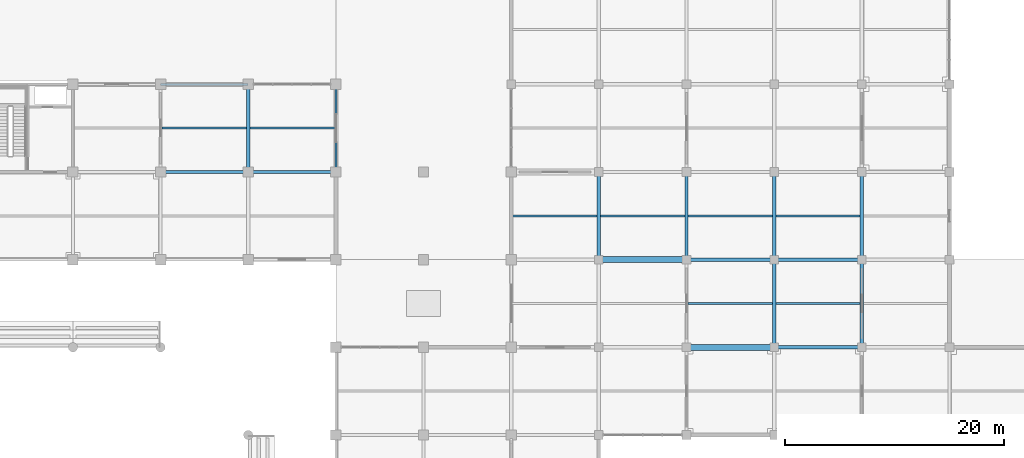
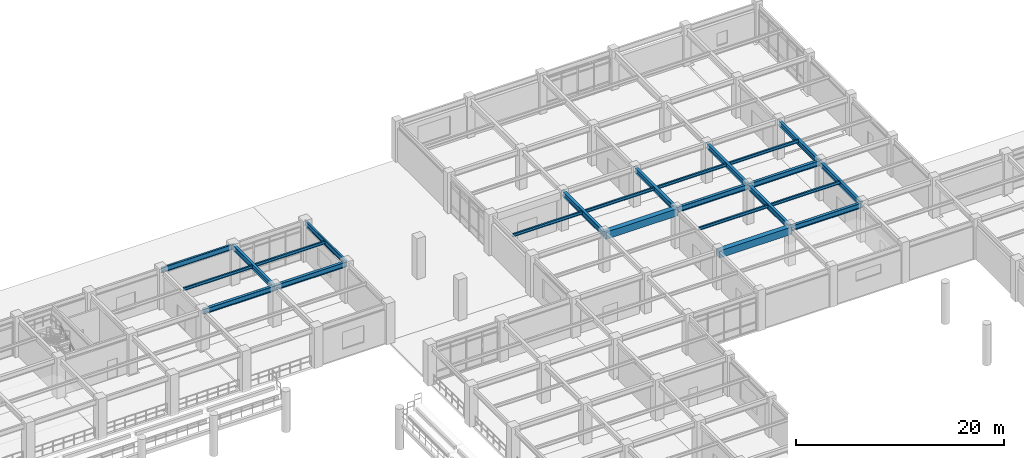
# One storey, part 47 of 109: 24 beams.
"""IFC4 building model written with IfcOpenShell, lengths in metres."""

from ifc_helpers import new_model, si_unit, direction, frame, origin, origin_2d, place, context, subcontext, project, spatial, rectangle, i_section, extrude, material, material_profile, profile_set, type_object, element, save


model = new_model("IFC4")

# Units and contexts
model_context = context("Model", 3, precision=1e-05, world=origin(), true_north=direction((0.0, 1.0)))
body_context = subcontext(model_context, "Body", "Model", "MODEL_VIEW")
ifc_project = project(units=[si_unit("LENGTHUNIT", "METRE"), si_unit("AREAUNIT", "SQUARE_METRE"), si_unit("VOLUMEUNIT", "CUBIC_METRE"), si_unit("PLANEANGLEUNIT", "RADIAN"), si_unit("MASSUNIT", "GRAM", prefix="KILO")], contexts=[model_context])

# Site, building, storey
site_placement = place(None, origin())
site = spatial("IfcSite", under=ifc_project, at=site_placement, CompositionType="ELEMENT")
building_placement = place(site_placement, origin())
building = spatial("IfcBuilding", under=site, at=building_placement, Name="Haebicheon Civic Stadium", CompositionType="ELEMENT")
storey_placement = place(building_placement, frame((0.0, 0.0, 9.60009765625)))
storey = spatial("IfcBuildingStorey", under=building, at=storey_placement, Name="L03", CompositionType="ELEMENT", Elevation=9.60009765625)

# Beams
ifc_material_1 = material(Name="Concrete C40/50", Category="concrete")
ifc_material_profile_1 = material_profile(ifc_material_1, rectangle(XDim=0.550048828125, YDim=0.85009765625, at=origin_2d()), Name="RC-BM-550x850")
ifc_profile_set_1 = profile_set([ifc_material_profile_1], Name="Concrete C40/50")
beam_type_1 = type_object("IfcBeamType", Name="BM-RC-550x850", PredefinedType="BEAM", material=ifc_profile_set_1)
for number, where, z_axis, x_axis, name in (
    (1, (168.0, 152.0, 4.114990234375), (1.0, 0.0, 0.0), (0.0, 1.0, 0.0), "L03 beam V/22-23"),
    (2, (176.0, 144.0, 3.974853515625), (1.0, 0.0, 0.0), (0.0, 1.0, 0.0), "L03 beam U/23-24"),
):
    element("IfcBeam", number, at=place(storey_placement, frame(where, z_axis=z_axis, x_axis=x_axis)), inside=storey, type_object=beam_type_1, material=ifc_profile_set_1, Name=name, PredefinedType="BEAM", context=body_context, shape_type="SweptSolid", body=[
        extrude(rectangle(XDim=0.550048828125, YDim=0.85009765625, at=origin_2d()), origin(), (0.0, 0.0, 1.0), 8.0),
    ])
ifc_material_2 = material(Name="Steel SM355 (S355)", Category="steel")
ifc_material_profile_2 = material_profile(ifc_material_2, i_section(OverallWidth=0.300048828125, OverallDepth=0.60009765625, WebThickness=0.011962890625, FlangeThickness=0.02001953125, at=origin_2d()), Name="H-600x300x12x20")
ifc_profile_set_2 = profile_set([ifc_material_profile_2], Name="Steel SM355 (S355)")
beam_type_2 = type_object("IfcBeamType", Name="BM-ST-H600A", PredefinedType="BEAM", material=ifc_profile_set_2)
for number, where, z_axis, x_axis, name in (
    (3, (136.0, 160.0, 4.239990234375), (0.0, 1.0, 0.0), (-1.0, 0.0, 0.0), "L03 girder 18/W-X"),
    (4, (168.0, 152.0, 4.239990234375), (0.0, 1.0, 0.0), (-1.0, 0.0, 0.0), "L03 girder 22/V-W"),
    (5, (176.0, 152.0, 4.239990234375), (0.0, 1.0, 0.0), (-1.0, 0.0, 0.0), "L03 girder 23/V-W"),
    (6, (184.0, 144.0, 4.239990234375), (0.0, 1.0, 0.0), (-1.0, 0.0, 0.0), "L03 girder 24/U-V"),
    (7, (184.0, 152.0, 4.239990234375), (0.0, 1.0, 0.0), (-1.0, 0.0, 0.0), "L03 girder 24/V-W"),
    (8, (192.0, 144.0, 4.099853515625), (0.0, 1.0, 0.0), (-1.0, 0.0, 0.0), "L03 girder 25/U-V"),
    (9, (192.0, 152.0, 4.099853515625), (0.0, 1.0, 0.0), (-1.0, 0.0, 0.0), "L03 girder 25/V-W"),
    (10, (128.0, 160.0, 4.239990234375), (1.0, 0.0, 0.0), (0.0, 1.0, 0.0), "L03 beam W/17-18"),
    (11, (136.0, 160.0, 4.27978515625), (1.0, 0.0, 0.0), (0.0, 1.0, 0.0), "L03 beam W/18-19"),
    (12, (176.0, 152.0, 4.239990234375), (1.0, 0.0, 0.0), (0.0, 1.0, 0.0), "L03 beam V/23-24"),
    (13, (184.0, 144.0, 4.099853515625), (1.0, 0.0, 0.0), (0.0, 1.0, 0.0), "L03 beam U/24-25"),
    (14, (184.0, 152.0, 4.239990234375), (1.0, 0.0, 0.0), (0.0, 1.0, 0.0), "L03 beam V/24-25"),
):
    element("IfcBeam", number, at=place(storey_placement, frame(where, z_axis=z_axis, x_axis=x_axis)), inside=storey, type_object=beam_type_2, material=ifc_profile_set_2, Name=name, PredefinedType="BEAM", context=body_context, shape_type="SweptSolid", body=[
        extrude(i_section(OverallWidth=0.300048828125, OverallDepth=0.60009765625, WebThickness=0.011962890625, FlangeThickness=0.02001953125, at=origin_2d()), origin(), (0.0, 0.0, 1.0), 8.0),
    ])
ifc_material_3 = material(Name="Steel SM355 (S355)", Category="steel")
ifc_material_profile_3 = material_profile(ifc_material_3, i_section(OverallWidth=0.175048828125, OverallDepth=0.35009765625, WebThickness=0.007080078125, FlangeThickness=0.010986328125, at=origin_2d()), Name="H-350x175x7x11")
ifc_profile_set_3 = profile_set([ifc_material_profile_3], Name="Steel SM355 (S355)")
beam_type_3 = type_object("IfcBeamType", Name="JST-ST-H350", PredefinedType="JOIST", material=ifc_profile_set_3)
beam_placement = place(storey_placement, frame((128.14990234375, 164.0, 4.364990234375), z_axis=(1.0, 0.0, 0.0), x_axis=(0.0, 1.0, 0.0)))
element("IfcBeam", 15, at=beam_placement, inside=storey, type_object=beam_type_3, material=ifc_profile_set_3, Name="L03 secondary joist 16-20", PredefinedType="JOIST", context=body_context, shape_type="SweptSolid", body=[
    extrude(i_section(OverallWidth=0.175048828125, OverallDepth=0.35009765625, WebThickness=0.007080078125, FlangeThickness=0.010986328125, at=origin_2d()), origin(), (0.0, 0.0, 1.0), 7.7001953125),
])
for number, where, z_axis, x_axis, name in (
    (16, (136.14990234375, 164.0, 4.40478515625), (1.0, 0.0, 0.0), (0.0, 1.0, 0.0), "L03 secondary joist 17-20"),
    (17, (160.10009765625, 156.0, 4.364990234375), (1.0, 0.0, 0.0), (0.0, 1.0, 0.0), "L03 secondary joist 20-19"),
):
    element("IfcBeam", number, at=place(storey_placement, frame(where, z_axis=z_axis, x_axis=x_axis)), inside=storey, type_object=beam_type_3, material=ifc_profile_set_3, Name=name, PredefinedType="JOIST", context=body_context, shape_type="SweptSolid", body=[
        extrude(i_section(OverallWidth=0.175048828125, OverallDepth=0.35009765625, WebThickness=0.007080078125, FlangeThickness=0.010986328125, at=origin_2d()), origin(), (0.0, 0.0, 1.0), 7.75),
    ])
for number, where, z_axis, x_axis, name in (
    (18, (168.14990234375, 156.0, 4.364990234375), (1.0, 0.0, 0.0), (0.0, 1.0, 0.0), "L03 secondary joist 21-19"),
    (19, (176.14990234375, 148.0, 4.364990234375), (1.0, 0.0, 0.0), (0.0, 1.0, 0.0), "L03 secondary joist 22-18"),
    (20, (176.14990234375, 156.0, 4.364990234375), (1.0, 0.0, 0.0), (0.0, 1.0, 0.0), "L03 secondary joist 22-19"),
    (21, (184.14990234375, 148.0, 4.364990234375), (1.0, 0.0, 0.0), (0.0, 1.0, 0.0), "L03 secondary joist 23-18"),
    (22, (184.14990234375, 156.0, 4.364990234375), (1.0, 0.0, 0.0), (0.0, 1.0, 0.0), "L03 secondary joist 23-19"),
):
    element("IfcBeam", number, at=place(storey_placement, frame(where, z_axis=z_axis, x_axis=x_axis)), inside=storey, type_object=beam_type_3, material=ifc_profile_set_3, Name=name, PredefinedType="JOIST", context=body_context, shape_type="SweptSolid", body=[
        extrude(i_section(OverallWidth=0.175048828125, OverallDepth=0.35009765625, WebThickness=0.007080078125, FlangeThickness=0.010986328125, at=origin_2d()), origin(), (0.0, 0.0, 1.0), 7.7001953125),
    ])
ifc_material_4 = material(Name="Steel SM355 (S355)", Category="steel")
ifc_material_profile_4 = material_profile(ifc_material_4, i_section(OverallWidth=0.199951171875, OverallDepth=0.60009765625, WebThickness=0.010986328125, FlangeThickness=0.01708984375, at=origin_2d()), Name="H-600x200x11x17")
ifc_profile_set_4 = profile_set([ifc_material_profile_4], Name="Steel SM355 (S355)")
beam_type_4 = type_object("IfcBeamType", Name="SPD-ST-H600B", PredefinedType="SPANDREL", material=ifc_profile_set_4)
for number, where, z_axis, x_axis, name in (
    (23, (144.0, 160.0, 4.27978515625), (0.0, 1.0, 0.0), (-1.0, 0.0, 0.0), "L03 girder 19/W-X"),
    (24, (128.0, 168.0, 4.239990234375), (1.0, 0.0, 0.0), (0.0, 1.0, 0.0), "L03 beam X/17-18"),
):
    element("IfcBeam", number, at=place(storey_placement, frame(where, z_axis=z_axis, x_axis=x_axis)), inside=storey, type_object=beam_type_4, material=ifc_profile_set_4, Name=name, PredefinedType="SPANDREL", context=body_context, shape_type="SweptSolid", body=[
        extrude(i_section(OverallWidth=0.199951171875, OverallDepth=0.60009765625, WebThickness=0.010986328125, FlangeThickness=0.01708984375, at=origin_2d()), origin(), (0.0, 0.0, 1.0), 8.0),
    ])

save(model, "model.ifc")
